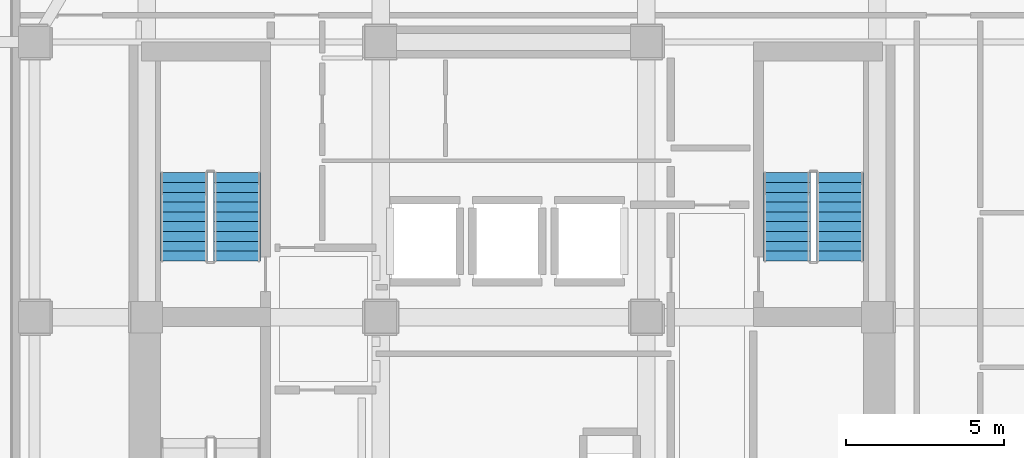
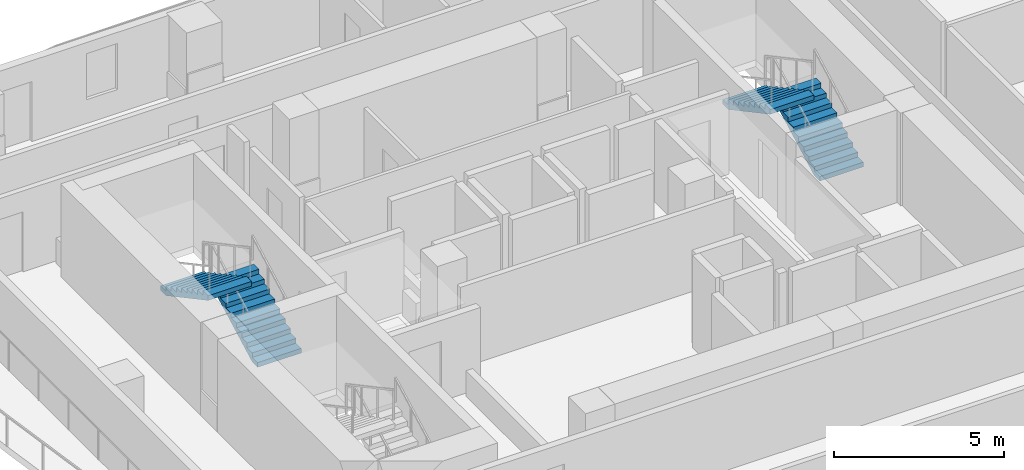
# One storey, part 6 of 9: 4 stair flights, 2 elements without a shape of their own.
"""IFC4 building model written with IfcOpenShell, lengths in metres."""

from ifc_helpers import new_model, si_unit, direction, frame, origin, place, context, subcontext, project, spatial, polyline, outline, extrude, material, type_object, element, aggregate, save


model = new_model("IFC4")

# Units and contexts
model_context = context("Model", 3, precision=1e-05, world=origin(), true_north=direction((0.0, 1.0)))
body_context = subcontext(model_context, "Body", "Model", "MODEL_VIEW")
ifc_project = project(units=[si_unit("LENGTHUNIT", "METRE"), si_unit("AREAUNIT", "SQUARE_METRE"), si_unit("VOLUMEUNIT", "CUBIC_METRE"), si_unit("PLANEANGLEUNIT", "RADIAN"), si_unit("MASSUNIT", "GRAM", prefix="KILO")], contexts=[model_context])

# Site, building, storey
site_placement = place(None, origin())
site = spatial("IfcSite", under=ifc_project, at=site_placement, CompositionType="ELEMENT")
building_placement = place(site_placement, origin())
building = spatial("IfcBuilding", under=site, at=building_placement, Name="Solanera Arch Residences", CompositionType="ELEMENT")
storey_placement = place(building_placement, frame((0.0, 0.0, 142.60009765625)))
storey = spatial("IfcBuildingStorey", under=building, at=storey_placement, Name="L41", CompositionType="ELEMENT", Elevation=142.60009765625)

# Stair, stair flights
ifc_material_1 = material(Name="Concrete C40/50 (f'c = 45 MPa)", Category="concrete")
stair_type = type_object("IfcStairType", Name="Tower Dogleg Exit Stair 1480", PredefinedType="HALF_TURN_STAIR", material=ifc_material_1)
stair_1_placement = place(storey_placement, origin())
stair_1 = element("IfcStair", 1, at=stair_1_placement, inside=storey, type_object=stair_type, Name="L41 Tower Core Exit Stair 1", PredefinedType="HALF_TURN_STAIR")
ifc_material_2 = material(Name="Concrete C40/50 (f'c = 45 MPa)", Category="concrete")
stair_flight_type = type_object("IfcStairFlightType", Name="Tower Precast Stair Flight 1480", PredefinedType="STRAIGHT", material=ifc_material_2)
stair_flight_1_placement = place(storey_placement, frame((16.260009765625, 32.47998046875, 0.0), z_axis=(0.0, 0.0, 1.0), x_axis=(0.0, 1.0, 0.0)))
stair_flight_1 = element("IfcStairFlight", 2, at=stair_flight_1_placement, type_object=stair_flight_type, Name="ST-T1 flight 1", NumberOfRisers=10, NumberOfTreads=9, PredefinedType="STRAIGHT", RiserHeight=0.166, TreadLength=0.31, context=body_context, shape_type="SweptSolid", body=[
    extrude(outline(polyline([(0.0, 0.0), (0.0, 0.166015625), (0.31005859375, 0.166015625), (0.31005859375, 0.33203125), (0.6201171875, 0.33203125), (0.6201171875, 0.498046875), (0.929931640625, 0.498046875), (0.929931640625, 0.6640625), (1.239990234375, 0.6640625), (1.239990234375, 0.830078125), (1.550048828125, 0.830078125), (1.550048828125, 0.99609375), (1.860107421875, 0.99609375), (1.860107421875, 1.162109375), (2.169921875, 1.162109375), (2.169921875, 1.327880859375), (2.47998046875, 1.327880859375), (2.47998046875, 1.493896484375), (2.7900390625, 1.493896484375), (2.7900390625, 1.659912109375), (2.7900390625, 1.323974609375), (0.317626953125, 0.0), (0.0, 0.0)])), frame((0.0, 0.739990234375, 0.0), z_axis=(0.0, -1.0, 0.0), x_axis=(1.0, 0.0, 0.0)), (0.0, 0.0, 1.0), 1.47998046875),
])
stair_flight_2_placement = place(storey_placement, frame((14.580078125, 35.27001953125, 1.659912109375), z_axis=(0.0, 0.0, 1.0), x_axis=(0.0, -1.0, 0.0)))
stair_flight_2 = element("IfcStairFlight", 3, at=stair_flight_2_placement, type_object=stair_flight_type, Name="ST-T1 flight 2", NumberOfRisers=10, NumberOfTreads=9, PredefinedType="STRAIGHT", RiserHeight=0.166, TreadLength=0.31, context=body_context, shape_type="SweptSolid", body=[
    extrude(outline(polyline([(0.0, 0.0), (0.0, 0.166015625), (0.31005859375, 0.166015625), (0.31005859375, 0.33203125), (0.6201171875, 0.33203125), (0.6201171875, 0.498046875), (0.929931640625, 0.498046875), (0.929931640625, 0.6640625), (1.239990234375, 0.6640625), (1.239990234375, 0.830078125), (1.550048828125, 0.830078125), (1.550048828125, 0.99609375), (1.860107421875, 0.99609375), (1.860107421875, 1.162109375), (2.169921875, 1.162109375), (2.169921875, 1.327880859375), (2.47998046875, 1.327880859375), (2.47998046875, 1.493896484375), (2.7900390625, 1.493896484375), (2.7900390625, 1.659912109375), (2.7900390625, 1.323974609375), (0.317626953125, 0.0), (0.0, 0.0)])), frame((0.0, 0.739990234375, 0.0), z_axis=(0.0, -1.0, 0.0), x_axis=(1.0, 0.0, 0.0)), (0.0, 0.0, 1.0), 1.47998046875),
])
aggregate(stair_1, [stair_flight_1, stair_flight_2])

stair_2_placement = place(storey_placement, origin())
stair_2 = element("IfcStair", 4, at=stair_2_placement, inside=storey, type_object=stair_type, Name="L41 Tower Core Exit Stair 2", PredefinedType="HALF_TURN_STAIR")
stair_flight_3_placement = place(storey_placement, frame((35.320068359375, 32.47998046875, 0.0), z_axis=(0.0, 0.0, 1.0), x_axis=(0.0, 1.0, 0.0)))
stair_flight_3 = element("IfcStairFlight", 5, at=stair_flight_3_placement, type_object=stair_flight_type, Name="ST-T2 flight 1", NumberOfRisers=10, NumberOfTreads=9, PredefinedType="STRAIGHT", RiserHeight=0.166, TreadLength=0.31, context=body_context, shape_type="SweptSolid", body=[
    extrude(outline(polyline([(0.0, 0.0), (0.0, 0.166015625), (0.31005859375, 0.166015625), (0.31005859375, 0.33203125), (0.6201171875, 0.33203125), (0.6201171875, 0.498046875), (0.929931640625, 0.498046875), (0.929931640625, 0.6640625), (1.239990234375, 0.6640625), (1.239990234375, 0.830078125), (1.550048828125, 0.830078125), (1.550048828125, 0.99609375), (1.860107421875, 0.99609375), (1.860107421875, 1.162109375), (2.169921875, 1.162109375), (2.169921875, 1.327880859375), (2.47998046875, 1.327880859375), (2.47998046875, 1.493896484375), (2.7900390625, 1.493896484375), (2.7900390625, 1.659912109375), (2.7900390625, 1.323974609375), (0.317626953125, 0.0), (0.0, 0.0)])), frame((0.0, 0.739990234375, 0.0), z_axis=(0.0, -1.0, 0.0), x_axis=(1.0, 0.0, 0.0)), (0.0, 0.0, 1.0), 1.47998046875),
])
stair_flight_4_placement = place(storey_placement, frame((33.639892578125, 35.27001953125, 1.659912109375), z_axis=(0.0, 0.0, 1.0), x_axis=(0.0, -1.0, 0.0)))
stair_flight_4 = element("IfcStairFlight", 6, at=stair_flight_4_placement, type_object=stair_flight_type, Name="ST-T2 flight 2", NumberOfRisers=10, NumberOfTreads=9, PredefinedType="STRAIGHT", RiserHeight=0.166, TreadLength=0.31, context=body_context, shape_type="SweptSolid", body=[
    extrude(outline(polyline([(0.0, 0.0), (0.0, 0.166015625), (0.31005859375, 0.166015625), (0.31005859375, 0.33203125), (0.6201171875, 0.33203125), (0.6201171875, 0.498046875), (0.929931640625, 0.498046875), (0.929931640625, 0.6640625), (1.239990234375, 0.6640625), (1.239990234375, 0.830078125), (1.550048828125, 0.830078125), (1.550048828125, 0.99609375), (1.860107421875, 0.99609375), (1.860107421875, 1.162109375), (2.169921875, 1.162109375), (2.169921875, 1.327880859375), (2.47998046875, 1.327880859375), (2.47998046875, 1.493896484375), (2.7900390625, 1.493896484375), (2.7900390625, 1.659912109375), (2.7900390625, 1.323974609375), (0.317626953125, 0.0), (0.0, 0.0)])), frame((0.0, 0.739990234375, 0.0), z_axis=(0.0, -1.0, 0.0), x_axis=(1.0, 0.0, 0.0)), (0.0, 0.0, 1.0), 1.47998046875),
])
aggregate(stair_2, [stair_flight_3, stair_flight_4])

save(model, "model.ifc")
